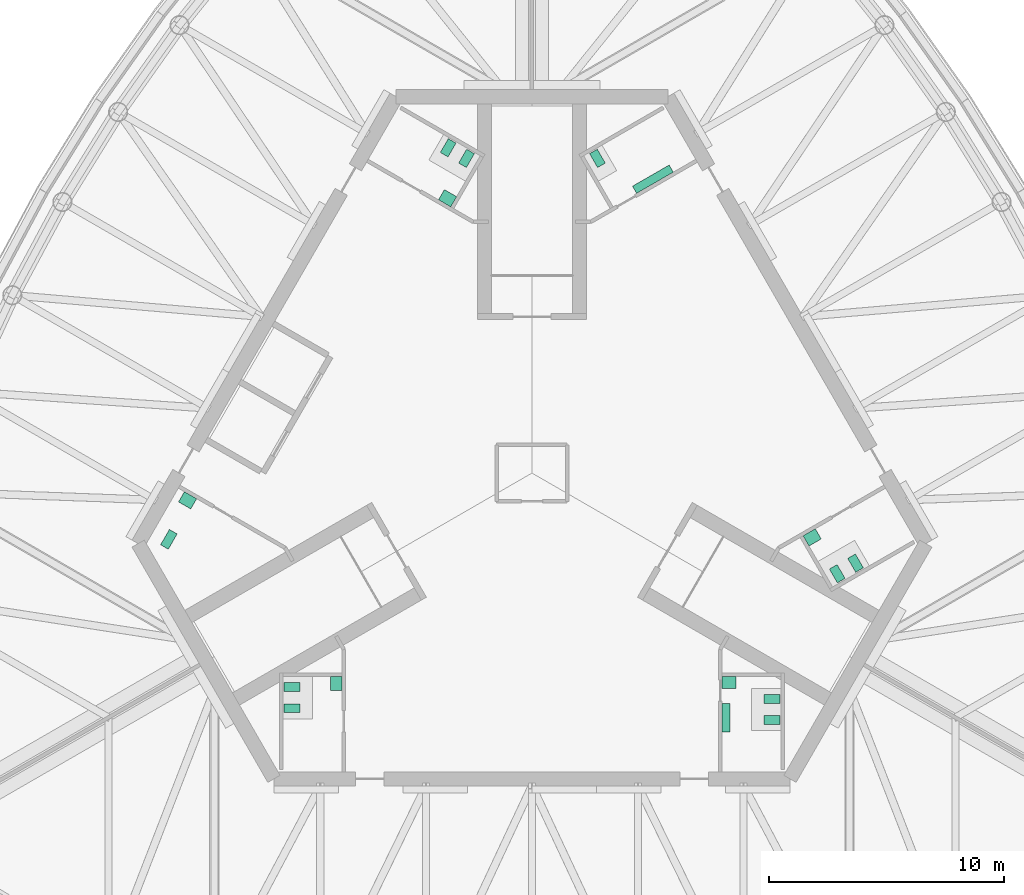
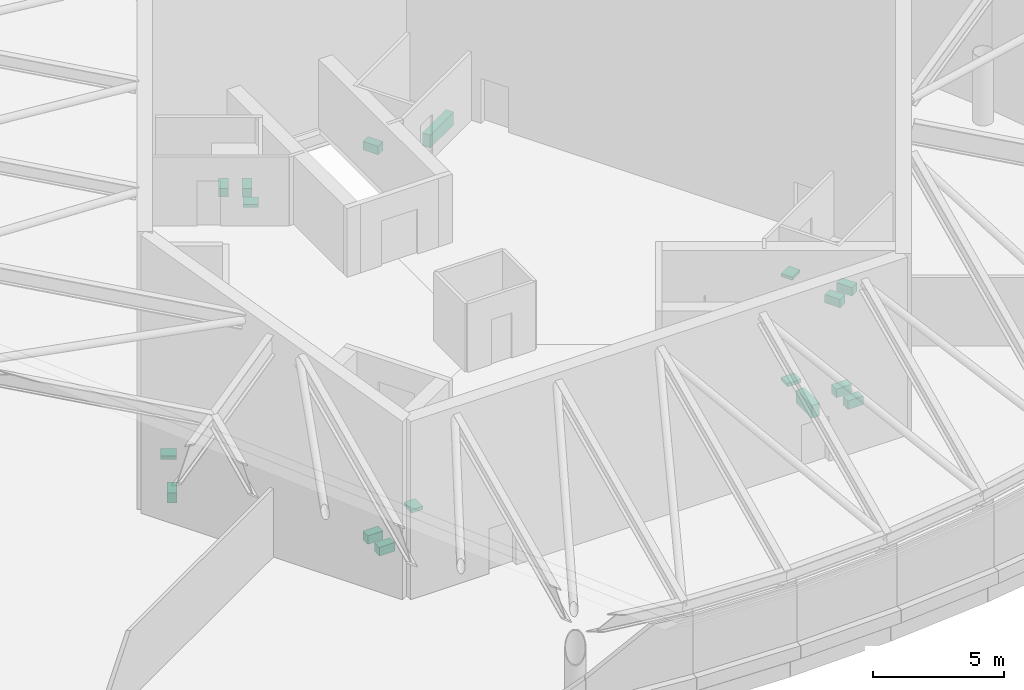
# One storey, part 9 of 10: 17 sanitary terminals.
"""IFC4 building model written with IfcOpenShell, lengths in metres."""

from ifc_helpers import new_model, si_unit, direction, frame, origin, place, context, subcontext, project, spatial, polyline, outline, extrude, material, type_object, element, save


model = new_model("IFC4")

# Units and contexts
model_context = context("Model", 3, precision=1e-05, world=origin(), true_north=direction((0.0, 1.0)))
body_context = subcontext(model_context, "Body", "Model", "MODEL_VIEW")
ifc_project = project(units=[si_unit("LENGTHUNIT", "METRE"), si_unit("AREAUNIT", "SQUARE_METRE"), si_unit("VOLUMEUNIT", "CUBIC_METRE"), si_unit("PLANEANGLEUNIT", "RADIAN"), si_unit("MASSUNIT", "GRAM", prefix="KILO")], contexts=[model_context])

# Site, building, storey
site_placement = place(None, origin())
site = spatial("IfcSite", under=ifc_project, at=site_placement, CompositionType="ELEMENT")
building_placement = place(site_placement, origin())
building = spatial("IfcBuilding", under=site, at=building_placement, Name="Trefoil Bronze Tower", CompositionType="ELEMENT")
storey_placement = place(building_placement, frame((0.0, 0.0, 328.5)))
storey = spatial("IfcBuildingStorey", under=building, at=storey_placement, Name="RF", CompositionType="ELEMENT", Elevation=328.5)

# Sanitary terminals
ifc_material_1 = material(Name="Vitreous china", Category="ceramic")
sanitary_terminal_type_1 = type_object("IfcSanitaryTerminalType", Name="Accessible WC pan", PredefinedType="TOILETPAN", material=ifc_material_1)
sanitary_terminal_1_placement = place(storey_placement, origin())
element("IfcSanitaryTerminal", 1, at=sanitary_terminal_1_placement, inside=storey, type_object=sanitary_terminal_type_1, Name="WC pan 1 Accessible WC RF", PredefinedType="TOILETPAN", context=body_context, shape_type="SweptSolid", body=[
    extrude(outline(polyline([(-15.085693359375, -2.589111328125), (-15.460693359375, -3.238525390625), (-15.789794921875, -3.048583984375), (-15.414794921875, -2.399169921875), (-15.085693359375, -2.589111328125)])), origin(), (0.0, 0.0, 1.0), 0.449951171875),
])
ifc_material_2 = material(Name="Vitreous china", Category="ceramic")
sanitary_terminal_type_2 = type_object("IfcSanitaryTerminalType", Name="Accessible basin", PredefinedType="WASHHANDBASIN", material=ifc_material_2)
sanitary_terminal_2_placement = place(storey_placement, frame((0.0, 0.0, 0.64990234375)))
element("IfcSanitaryTerminal", 2, at=sanitary_terminal_2_placement, inside=storey, type_object=sanitary_terminal_type_2, Name="Wash basin Accessible WC RF", PredefinedType="WASHHANDBASIN", context=body_context, shape_type="SweptSolid", body=[
    extrude(outline(polyline([(-14.256591796875, -1.09326171875), (-14.506591796875, -1.526123046875), (-15.026123046875, -1.22607421875), (-14.776123046875, -0.793212890625), (-14.256591796875, -1.09326171875)])), origin(), (0.0, 0.0, 1.0), 0.150146484375),
])
ifc_material_3 = material(Name="Vitreous china", Category="ceramic")
sanitary_terminal_type_3 = type_object("IfcSanitaryTerminalType", Name="Urinal range 2 urinals", PredefinedType="URINAL", material=ifc_material_3)
sanitary_terminal_3_placement = place(storey_placement, frame((0.0, 0.0, 0.39990234375)))
element("IfcSanitaryTerminal", 3, at=sanitary_terminal_3_placement, inside=storey, type_object=sanitary_terminal_type_3, Name="Urinal range WC (men) RF", PredefinedType="URINAL", context=body_context, shape_type="SweptSolid", body=[
    extrude(outline(polyline([(8.074951171875, -9.800048828125), (8.425048828125, -9.800048828125), (8.425048828125, -11.0), (8.074951171875, -11.0), (8.074951171875, -9.800048828125)])), origin(), (0.0, 0.0, 1.0), 0.60009765625),
])
ifc_material_4 = material(Name="Vitreous china", Category="ceramic")
sanitary_terminal_type_4 = type_object("IfcSanitaryTerminalType", Name="Urinal range 3 urinals", PredefinedType="URINAL", material=ifc_material_4)
sanitary_terminal_4_placement = place(storey_placement, frame((0.0, 0.0, 0.39990234375)))
element("IfcSanitaryTerminal", 4, at=sanitary_terminal_4_placement, inside=storey, type_object=sanitary_terminal_type_4, Name="Urinal range WC (men) RF", PredefinedType="URINAL", context=body_context, shape_type="SweptSolid", body=[
    extrude(outline(polyline([(4.449462890625, 11.89306640625), (4.274658203125, 12.1962890625), (5.83349609375, 13.09619140625), (6.00830078125, 12.793212890625), (4.449462890625, 11.89306640625)])), origin(), (0.0, 0.0, 1.0), 0.60009765625),
])
ifc_material_5 = material(Name="Solid surface vanity", Category="plastic")
sanitary_terminal_type_5 = type_object("IfcSanitaryTerminalType", Name="Vanity unit 1 basins", PredefinedType="WASHHANDBASIN", material=ifc_material_5)
sanitary_terminal_5_placement = place(storey_placement, frame((0.0, 0.0, 0.75)))
element("IfcSanitaryTerminal", 5, at=sanitary_terminal_5_placement, inside=storey, type_object=sanitary_terminal_type_5, Name="Vanity unit WC (men) RF", PredefinedType="WASHHANDBASIN", context=body_context, shape_type="SweptSolid", body=[
    extrude(outline(polyline([(8.074951171875, -8.64990234375), (8.675048828125, -8.64990234375), (8.675048828125, -9.14990234375), (8.074951171875, -9.14990234375), (8.074951171875, -8.64990234375)])), origin(), (0.0, 0.0, 1.0), 0.14990234375),
])
sanitary_terminal_6_placement = place(storey_placement, frame((0.0, 0.0, 0.75)))
element("IfcSanitaryTerminal", 6, at=sanitary_terminal_6_placement, inside=storey, type_object=sanitary_terminal_type_5, Name="Vanity unit WC (women) RF", PredefinedType="WASHHANDBASIN", context=body_context, shape_type="SweptSolid", body=[
    extrude(outline(polyline([(11.528564453125, -2.668212890625), (11.778564453125, -3.10107421875), (12.29833984375, -2.80126953125), (12.04833984375, -2.3681640625), (11.528564453125, -2.668212890625)])), origin(), (0.0, 0.0, 1.0), 0.14990234375),
])
sanitary_terminal_7_placement = place(storey_placement, frame((0.0, 0.0, 0.75)))
element("IfcSanitaryTerminal", 7, at=sanitary_terminal_7_placement, inside=storey, type_object=sanitary_terminal_type_5, Name="Vanity unit WC (women) RF", PredefinedType="WASHHANDBASIN", context=body_context, shape_type="SweptSolid", body=[
    extrude(outline(polyline([(-3.45361328125, 11.318115234375), (-3.20361328125, 11.751220703125), (-3.72314453125, 12.05126953125), (-3.97314453125, 11.6181640625), (-3.45361328125, 11.318115234375)])), origin(), (0.0, 0.0, 1.0), 0.14990234375),
])
sanitary_terminal_8_placement = place(storey_placement, frame((0.0, 0.0, 0.75)))
element("IfcSanitaryTerminal", 8, at=sanitary_terminal_8_placement, inside=storey, type_object=sanitary_terminal_type_5, Name="Vanity unit WC (women) RF", PredefinedType="WASHHANDBASIN", context=body_context, shape_type="SweptSolid", body=[
    extrude(outline(polyline([(-8.074951171875, -8.64990234375), (-8.574951171875, -8.64990234375), (-8.574951171875, -9.25), (-8.074951171875, -9.25), (-8.074951171875, -8.64990234375)])), origin(), (0.0, 0.0, 1.0), 0.14990234375),
])
ifc_material_6 = material(Name="Vitreous china", Category="ceramic")
sanitary_terminal_type_6 = type_object("IfcSanitaryTerminalType", Name="WC pan", PredefinedType="TOILETPAN", material=ifc_material_6)
sanitary_terminal_9_placement = place(storey_placement, origin())
element("IfcSanitaryTerminal", 9, at=sanitary_terminal_9_placement, inside=storey, type_object=sanitary_terminal_type_6, Name="WC pan 1 WC (men) RF", PredefinedType="TOILETPAN", context=body_context, shape_type="SweptSolid", body=[
    extrude(outline(polyline([(9.85498046875, -9.409912109375), (10.534912109375, -9.409912109375), (10.534912109375, -9.7900390625), (9.85498046875, -9.7900390625), (9.85498046875, -9.409912109375)])), origin(), (0.0, 0.0, 1.0), 0.39990234375),
])
sanitary_terminal_10_placement = place(storey_placement, origin())
element("IfcSanitaryTerminal", 10, at=sanitary_terminal_10_placement, inside=storey, type_object=sanitary_terminal_type_6, Name="WC pan 2 WC (men) RF", PredefinedType="TOILETPAN", context=body_context, shape_type="SweptSolid", body=[
    extrude(outline(polyline([(9.85498046875, -10.31005859375), (10.534912109375, -10.31005859375), (10.534912109375, -10.68994140625), (9.85498046875, -10.68994140625), (9.85498046875, -10.31005859375)])), origin(), (0.0, 0.0, 1.0), 0.39990234375),
])
sanitary_terminal_11_placement = place(storey_placement, origin())
element("IfcSanitaryTerminal", 11, at=sanitary_terminal_11_placement, inside=storey, type_object=sanitary_terminal_type_6, Name="WC pan 1 WC (women) RF", PredefinedType="TOILETPAN", context=body_context, shape_type="SweptSolid", body=[
    extrude(outline(polyline([(12.643798828125, -4.07958984375), (12.98388671875, -4.66845703125), (13.31298828125, -4.478515625), (12.972900390625, -3.8896484375), (12.643798828125, -4.07958984375)])), origin(), (0.0, 0.0, 1.0), 0.39990234375),
])
sanitary_terminal_12_placement = place(storey_placement, origin())
element("IfcSanitaryTerminal", 12, at=sanitary_terminal_12_placement, inside=storey, type_object=sanitary_terminal_type_6, Name="WC pan 2 WC (women) RF", PredefinedType="TOILETPAN", context=body_context, shape_type="SweptSolid", body=[
    extrude(outline(polyline([(13.423095703125, -3.629638671875), (13.76318359375, -4.218505859375), (14.09228515625, -4.028564453125), (13.752197265625, -3.439697265625), (13.423095703125, -3.629638671875)])), origin(), (0.0, 0.0, 1.0), 0.39990234375),
])
sanitary_terminal_13_placement = place(storey_placement, origin())
element("IfcSanitaryTerminal", 13, at=sanitary_terminal_13_placement, inside=storey, type_object=sanitary_terminal_type_6, Name="WC pan 1 WC (men) RF", PredefinedType="TOILETPAN", context=body_context, shape_type="SweptSolid", body=[
    extrude(outline(polyline([(2.788818359375, 12.98974609375), (2.44873046875, 13.57861328125), (2.77783203125, 13.7685546875), (3.117919921875, 13.1796875), (2.788818359375, 12.98974609375)])), origin(), (0.0, 0.0, 1.0), 0.39990234375),
])
sanitary_terminal_14_placement = place(storey_placement, origin())
element("IfcSanitaryTerminal", 14, at=sanitary_terminal_14_placement, inside=storey, type_object=sanitary_terminal_type_6, Name="WC pan 1 WC (women) RF", PredefinedType="TOILETPAN", context=body_context, shape_type="SweptSolid", body=[
    extrude(outline(polyline([(-2.788818359375, 12.98974609375), (-2.44873046875, 13.57861328125), (-2.77783203125, 13.7685546875), (-3.117919921875, 13.1796875), (-2.788818359375, 12.98974609375)])), origin(), (0.0, 0.0, 1.0), 0.39990234375),
])
sanitary_terminal_15_placement = place(storey_placement, origin())
element("IfcSanitaryTerminal", 15, at=sanitary_terminal_15_placement, inside=storey, type_object=sanitary_terminal_type_6, Name="WC pan 2 WC (women) RF", PredefinedType="TOILETPAN", context=body_context, shape_type="SweptSolid", body=[
    extrude(outline(polyline([(-3.568115234375, 13.439697265625), (-3.228271484375, 14.028564453125), (-3.557373046875, 14.218505859375), (-3.897216796875, 13.629638671875), (-3.568115234375, 13.439697265625)])), origin(), (0.0, 0.0, 1.0), 0.39990234375),
])
sanitary_terminal_16_placement = place(storey_placement, origin())
element("IfcSanitaryTerminal", 16, at=sanitary_terminal_16_placement, inside=storey, type_object=sanitary_terminal_type_6, Name="WC pan 1 WC (women) RF", PredefinedType="TOILETPAN", context=body_context, shape_type="SweptSolid", body=[
    extrude(outline(polyline([(-9.85498046875, -8.909912109375), (-10.534912109375, -8.909912109375), (-10.534912109375, -9.2900390625), (-9.85498046875, -9.2900390625), (-9.85498046875, -8.909912109375)])), origin(), (0.0, 0.0, 1.0), 0.39990234375),
])
sanitary_terminal_17_placement = place(storey_placement, origin())
element("IfcSanitaryTerminal", 17, at=sanitary_terminal_17_placement, inside=storey, type_object=sanitary_terminal_type_6, Name="WC pan 2 WC (women) RF", PredefinedType="TOILETPAN", context=body_context, shape_type="SweptSolid", body=[
    extrude(outline(polyline([(-9.85498046875, -9.81005859375), (-10.534912109375, -9.81005859375), (-10.534912109375, -10.18994140625), (-9.85498046875, -10.18994140625), (-9.85498046875, -9.81005859375)])), origin(), (0.0, 0.0, 1.0), 0.39990234375),
])

save(model, "model.ifc")
